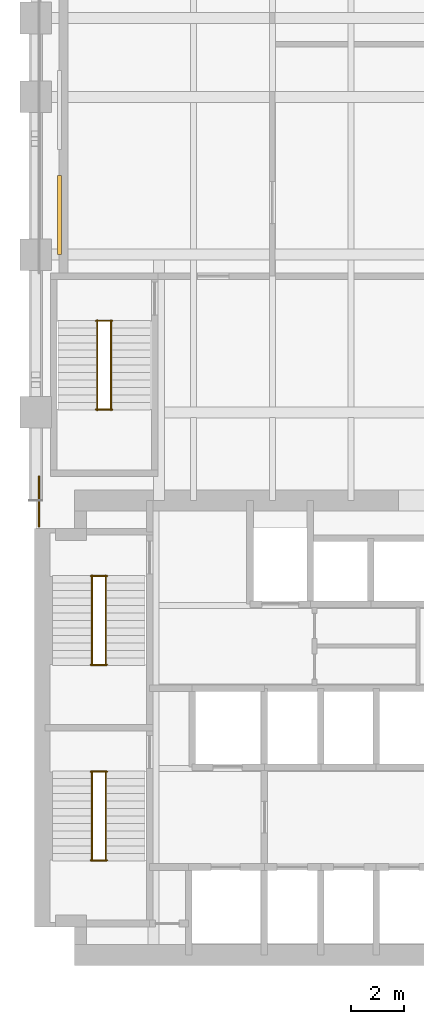
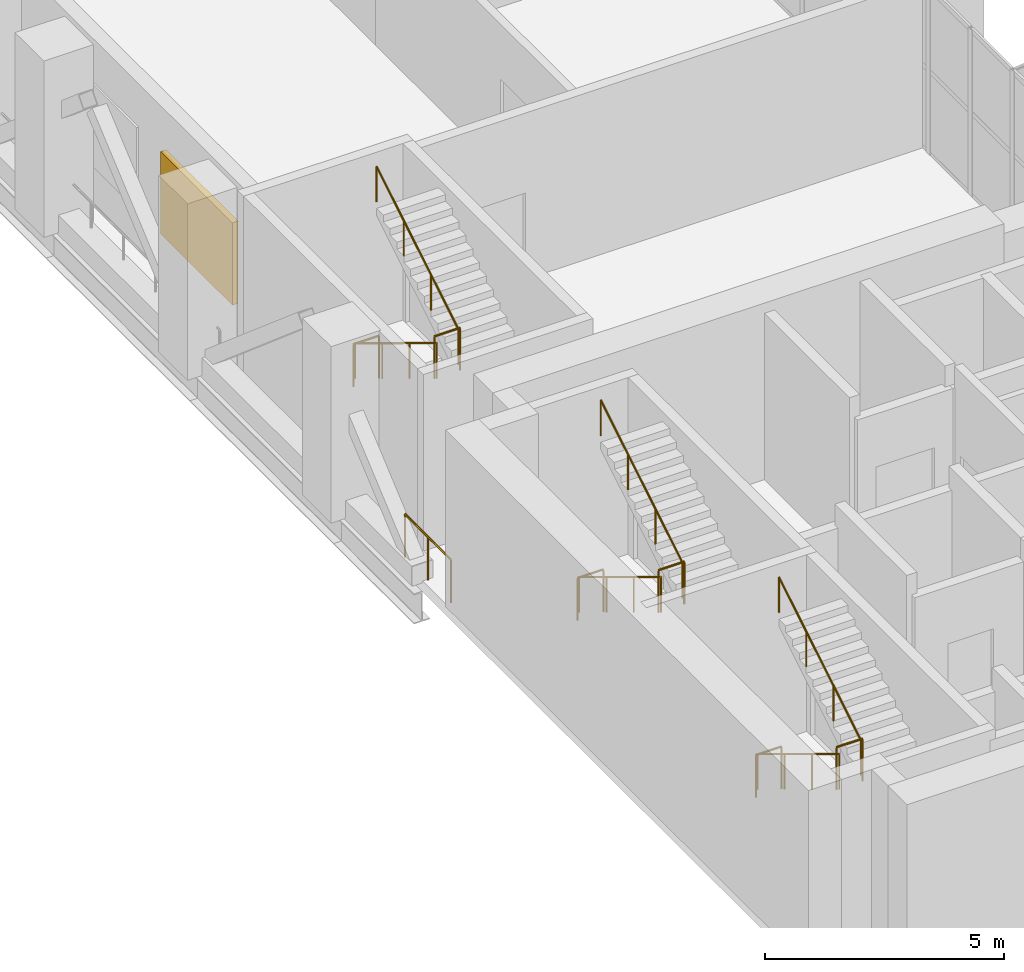
# One storey, part 26 of 27: 13 railings, 1 shading device.
"""IFC4 building model written with IfcOpenShell, lengths in metres."""

from ifc_helpers import new_model, si_unit, direction, frame, origin, origin_2d, place, context, subcontext, project, spatial, rectangle, circle, extrude, material, layer, layer_set, type_object, element, save


model = new_model("IFC4")

# Units and contexts
model_context = context("Model", 3, precision=1e-05, world=origin(), true_north=direction((0.0, 1.0)))
body_context = subcontext(model_context, "Body", "Model", "MODEL_VIEW")
ifc_project = project(units=[si_unit("LENGTHUNIT", "METRE"), si_unit("AREAUNIT", "SQUARE_METRE"), si_unit("VOLUMEUNIT", "CUBIC_METRE"), si_unit("PLANEANGLEUNIT", "RADIAN"), si_unit("MASSUNIT", "GRAM", prefix="KILO")], contexts=[model_context])

# Site, building, storey
site_placement = place(None, origin())
site = spatial("IfcSite", under=ifc_project, at=site_placement, CompositionType="ELEMENT")
building_placement = place(site_placement, origin())
building = spatial("IfcBuilding", under=site, at=building_placement, Name="Mawjdan Bourse Tower", CompositionType="ELEMENT")
storey_placement = place(building_placement, frame((0.0, 0.0, 84.60009765625)))
storey = spatial("IfcBuildingStorey", under=building, at=storey_placement, Name="L19", CompositionType="ELEMENT", Elevation=84.60009765625)

# Railings
ifc_material_1 = material(Name="Structural Steel S355", Category="steel")
railing_type_1 = type_object("IfcRailingType", Name="RLG-GRD-1100", PredefinedType="GUARDRAIL", material=ifc_material_1)
railing_1_placement = place(storey_placement, frame((6.1201171875, 21.56005859375, 0.0)))
element("IfcRailing", 1, at=railing_1_placement, inside=storey, type_object=railing_type_1, Name="L19 Refuge West Throat Perimeter Safety Guardrail", PredefinedType="GUARDRAIL", context=body_context, shape_type="SweptSolid", body=[
    extrude(circle(Radius=0.02490234375, at=origin_2d()), frame((0.0, 0.0, 1.09521484375), z_axis=(0.0, -1.0, 0.0), x_axis=(1.0, 0.0, 0.0)), (0.0, 0.0, 1.0), 1.91015625),
    extrude(circle(Radius=0.02197265625, at=origin_2d()), origin(), (0.0, 0.0, 1.0), 1.070068359375),
    extrude(circle(Radius=0.02197265625, at=origin_2d()), frame((0.0, -0.955078125, 0.0)), (0.0, 0.0, 1.0), 1.070068359375),
    extrude(circle(Radius=0.02197265625, at=origin_2d()), frame((0.0, -1.91015625, 0.0)), (0.0, 0.0, 1.0), 1.070068359375),
])
for number, where, name in (
    (2, (8.090087890625, 6.949951171875, 2.25), "L19 ST1 Landing Guardrail GL-MID"),
    (3, (8.090087890625, 10.330078125, 0.0), "L19 ST1 Landing Guardrail GL-BOT"),
    (4, (8.090087890625, 14.389892578125, 2.25), "L19 ST2 Landing Guardrail GL-MID"),
    (5, (8.090087890625, 17.77001953125, 0.0), "L19 ST2 Landing Guardrail GL-BOT"),
    (6, (8.2900390625, 24.10009765625, 2.25), "L19 ST3 Landing Guardrail GL-MID"),
    (7, (8.2900390625, 27.47998046875, 0.0), "L19 ST3 Landing Guardrail GL-BOT"),
):
    element("IfcRailing", number, at=place(storey_placement, frame(where)), inside=storey, type_object=railing_type_1, Name=name, PredefinedType="GUARDRAIL", context=body_context, shape_type="SweptSolid", body=[
        extrude(circle(Radius=0.02490234375, at=origin_2d()), frame((0.0, 0.0, 1.0751953125), z_axis=(1.0, 0.0, 0.0), x_axis=(0.0, 1.0, 0.0)), (0.0, 0.0, 1.0), 0.619873046875),
        extrude(circle(Radius=0.02099609375, at=origin_2d()), origin(), (0.0, 0.0, 1.0), 1.050048828125),
        extrude(circle(Radius=0.02099609375, at=origin_2d()), frame((0.619873046875, 0.0, 0.0)), (0.0, 0.0, 1.0), 1.050048828125),
    ])
ifc_material_2 = material(Name="Brushed Stainless Steel", Category="steel")
railing_type_2 = type_object("IfcRailingType", Name="RLG-HND-920", PredefinedType="HANDRAIL", material=ifc_material_2)
railing_2_placement = place(storey_placement, frame((8.139892578125, 10.35009765625, 0.173095703125)))
element("IfcRailing", 8, at=railing_2_placement, inside=storey, type_object=railing_type_2, Name="L19 ST1 Flight Handrail HR1", PredefinedType="HANDRAIL", context=body_context, shape_type="SweptSolid", body=[
    extrude(circle(Radius=0.0224609375, at=origin_2d()), frame((0.0, 0.0, 0.8974609375), z_axis=(0.0, -0.854745945586, 0.519046595696), x_axis=(1.0, 0.0, 0.0)), (0.0, 0.0, 1.0), 4.00146484375),
    extrude(circle(Radius=0.01904296875, at=origin_2d()), origin(), (0.0, 0.0, 1.0), 0.875),
    extrude(circle(Radius=0.01904296875, at=origin_2d()), frame((0.0, -1.14013671875, 0.6923828125)), (0.0, 0.0, 1.0), 0.875),
    extrude(circle(Radius=0.01904296875, at=origin_2d()), frame((0.0, -2.280029296875, 1.384521484375)), (0.0, 0.0, 1.0), 0.875),
    extrude(circle(Radius=0.01904296875, at=origin_2d()), frame((0.0, -3.420166015625, 2.076904296875)), (0.0, 0.0, 1.0), 0.875),
])
railing_3_placement = place(storey_placement, frame((8.659912109375, 6.929931640625, 2.423095703125)))
element("IfcRailing", 9, at=railing_3_placement, inside=storey, type_object=railing_type_2, Name="L19 ST1 Flight Handrail HR2", PredefinedType="HANDRAIL", context=body_context, shape_type="SweptSolid", body=[
    extrude(circle(Radius=0.0224609375, at=origin_2d()), frame((0.0, 0.0, 0.8974609375), z_axis=(0.0, 0.854745945586, 0.519046595696), x_axis=(-1.0, 0.0, 0.0)), (0.0, 0.0, 1.0), 4.00146484375),
    extrude(circle(Radius=0.01904296875, at=origin_2d()), origin(), (0.0, 0.0, 1.0), 0.875),
    extrude(circle(Radius=0.01904296875, at=origin_2d()), frame((0.0, 1.14013671875, 0.6923828125)), (0.0, 0.0, 1.0), 0.875),
    extrude(circle(Radius=0.01904296875, at=origin_2d()), frame((0.0, 2.280029296875, 1.384521484375)), (0.0, 0.0, 1.0), 0.875),
    extrude(circle(Radius=0.01904296875, at=origin_2d()), frame((0.0, 3.420166015625, 2.076904296875)), (0.0, 0.0, 1.0), 0.875),
])
railing_4_placement = place(storey_placement, frame((8.139892578125, 17.7900390625, 0.173095703125)))
element("IfcRailing", 10, at=railing_4_placement, inside=storey, type_object=railing_type_2, Name="L19 ST2 Flight Handrail HR1", PredefinedType="HANDRAIL", context=body_context, shape_type="SweptSolid", body=[
    extrude(circle(Radius=0.0224609375, at=origin_2d()), frame((0.0, 0.0, 0.8974609375), z_axis=(0.0, -0.854729506542, 0.519073665916), x_axis=(1.0, 0.0, 0.0)), (0.0, 0.0, 1.0), 4.001220703125),
    extrude(circle(Radius=0.01904296875, at=origin_2d()), origin(), (0.0, 0.0, 1.0), 0.875),
    extrude(circle(Radius=0.01904296875, at=origin_2d()), frame((0.0, -1.139892578125, 0.6923828125)), (0.0, 0.0, 1.0), 0.875),
    extrude(circle(Radius=0.01904296875, at=origin_2d()), frame((0.0, -2.280029296875, 1.384521484375)), (0.0, 0.0, 1.0), 0.875),
    extrude(circle(Radius=0.01904296875, at=origin_2d()), frame((0.0, -3.419921875, 2.076904296875)), (0.0, 0.0, 1.0), 0.875),
])
railing_5_placement = place(storey_placement, frame((8.659912109375, 14.3701171875, 2.423095703125)))
element("IfcRailing", 11, at=railing_5_placement, inside=storey, type_object=railing_type_2, Name="L19 ST2 Flight Handrail HR2", PredefinedType="HANDRAIL", context=body_context, shape_type="SweptSolid", body=[
    extrude(circle(Radius=0.0224609375, at=origin_2d()), frame((0.0, 0.0, 0.8974609375), z_axis=(0.0, 0.854729506542, 0.519073665916), x_axis=(-1.0, 0.0, 0.0)), (0.0, 0.0, 1.0), 4.001220703125),
    extrude(circle(Radius=0.01904296875, at=origin_2d()), origin(), (0.0, 0.0, 1.0), 0.875),
    extrude(circle(Radius=0.01904296875, at=origin_2d()), frame((0.0, 1.139892578125, 0.6923828125)), (0.0, 0.0, 1.0), 0.875),
    extrude(circle(Radius=0.01904296875, at=origin_2d()), frame((0.0, 2.280029296875, 1.384521484375)), (0.0, 0.0, 1.0), 0.875),
    extrude(circle(Radius=0.01904296875, at=origin_2d()), frame((0.0, 3.419921875, 2.076904296875)), (0.0, 0.0, 1.0), 0.875),
])
railing_6_placement = place(storey_placement, frame((8.340087890625, 27.5, 0.173095703125)))
element("IfcRailing", 12, at=railing_6_placement, inside=storey, type_object=railing_type_2, Name="L19 ST3 Flight Handrail HR1", PredefinedType="HANDRAIL", context=body_context, shape_type="SweptSolid", body=[
    extrude(circle(Radius=0.0224609375, at=origin_2d()), frame((0.0, 0.0, 0.8974609375), z_axis=(0.0, -0.854729506542, 0.519073665916), x_axis=(1.0, 0.0, 0.0)), (0.0, 0.0, 1.0), 4.001220703125),
    extrude(circle(Radius=0.01904296875, at=origin_2d()), origin(), (0.0, 0.0, 1.0), 0.875),
    extrude(circle(Radius=0.01904296875, at=origin_2d()), frame((0.0, -1.139892578125, 0.6923828125)), (0.0, 0.0, 1.0), 0.875),
    extrude(circle(Radius=0.01904296875, at=origin_2d()), frame((0.0, -2.280029296875, 1.384521484375)), (0.0, 0.0, 1.0), 0.875),
    extrude(circle(Radius=0.01904296875, at=origin_2d()), frame((0.0, -3.419921875, 2.076904296875)), (0.0, 0.0, 1.0), 0.875),
])
railing_7_placement = place(storey_placement, frame((8.860107421875, 24.080078125, 2.423095703125)))
element("IfcRailing", 13, at=railing_7_placement, inside=storey, type_object=railing_type_2, Name="L19 ST3 Flight Handrail HR2", PredefinedType="HANDRAIL", context=body_context, shape_type="SweptSolid", body=[
    extrude(circle(Radius=0.0224609375, at=origin_2d()), frame((0.0, 0.0, 0.8974609375), z_axis=(0.0, 0.854729506542, 0.519073665916), x_axis=(-1.0, 0.0, 0.0)), (0.0, 0.0, 1.0), 4.001220703125),
    extrude(circle(Radius=0.01904296875, at=origin_2d()), origin(), (0.0, 0.0, 1.0), 0.875),
    extrude(circle(Radius=0.01904296875, at=origin_2d()), frame((0.0, 1.139892578125, 0.6923828125)), (0.0, 0.0, 1.0), 0.875),
    extrude(circle(Radius=0.01904296875, at=origin_2d()), frame((0.0, 2.280029296875, 1.384521484375)), (0.0, 0.0, 1.0), 0.875),
    extrude(circle(Radius=0.01904296875, at=origin_2d()), frame((0.0, 3.419921875, 2.076904296875)), (0.0, 0.0, 1.0), 0.875),
])

# Shading device
ifc_material_3 = material(Name="Anodised Sand-Trap Aluminium", Category="aluminium")
ifc_layer = layer(ifc_material_3, 0.139892578125)
ifc_layer_set = layer_set([ifc_layer], Name="Anodised Sand-Trap Aluminium")
shading_device_type = type_object("IfcShadingDeviceType", Name="SHD-LVR-SAND", PredefinedType="JALOUSIE", material=ifc_layer_set)
shading_device_placement = place(storey_placement, frame((6.89990234375, 31.5, 1.0498046875), z_axis=(0.0, 0.0, 1.0), x_axis=(1.0, 0.0, 0.0)))
element("IfcShadingDevice", 14, at=shading_device_placement, inside=storey, type_object=shading_device_type, Name="L19 West Sand-Trap Intake Louvre 1", PredefinedType="JALOUSIE", context=body_context, shape_type="SweptSolid", body=[
    extrude(rectangle(XDim=0.139892578125, YDim=3.0, at=origin_2d()), origin(), (0.0, 0.0, 1.0), 2.10009765625),
])

save(model, "model.ifc")
